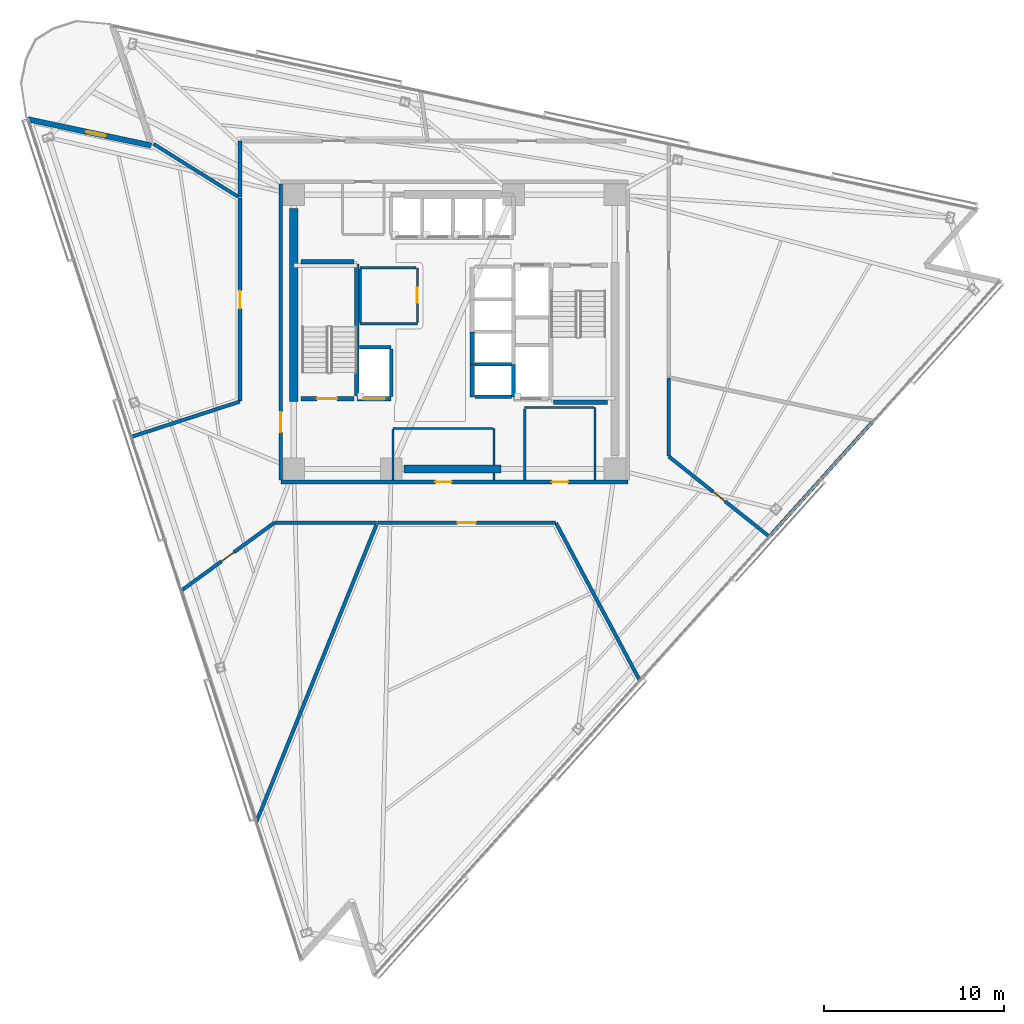
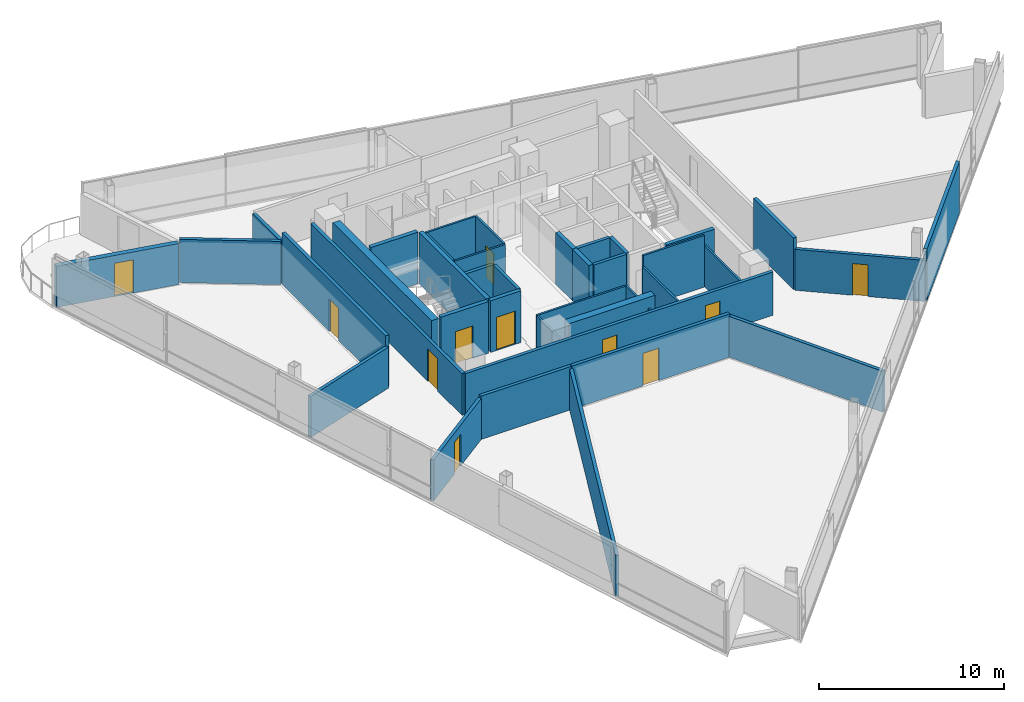
# One storey, part 10 of 17: 40 walls, 11 doors, 11 openings.
"""IFC4 building model written with IfcOpenShell, lengths in metres."""

from ifc_helpers import new_model, si_unit, direction, frame, frame_2d, origin, place, context, subcontext, project, spatial, rectangle, extrude, material, layer, layer_set, type_object, element, fill, save


model = new_model("IFC4")

# Units and contexts
model_context = context("Model", 3, precision=1e-05, world=origin(), true_north=direction((0.0, 1.0)))
body_context = subcontext(model_context, "Body", "Model", "MODEL_VIEW")
ifc_project = project(units=[si_unit("LENGTHUNIT", "METRE"), si_unit("AREAUNIT", "SQUARE_METRE"), si_unit("VOLUMEUNIT", "CUBIC_METRE"), si_unit("PLANEANGLEUNIT", "RADIAN"), si_unit("MASSUNIT", "GRAM", prefix="KILO")], contexts=[model_context])

# Site, building, storey
site_placement = place(None, origin())
site = spatial("IfcSite", under=ifc_project, at=site_placement, CompositionType="ELEMENT")
building_placement = place(site_placement, origin())
building = spatial("IfcBuilding", under=site, at=building_placement, Name="Tharavind Bronze Gate", CompositionType="ELEMENT")
storey_placement = place(building_placement, frame((0.0, 0.0, 200.449951171875)))
storey = spatial("IfcBuildingStorey", under=building, at=storey_placement, Name="L51", CompositionType="ELEMENT", Elevation=200.449951171875)

# Wall, opening, door
ifc_material_1 = material(Name="Concrete C40/50", Category="concrete")
ifc_layer_1 = layer(ifc_material_1, 0.300048828125)
ifc_layer_set_1 = layer_set([ifc_layer_1], Name="Concrete C40/50")
wall_type_1 = type_object("IfcWallType", Name="EXTERIOR SPANDREL WALL 300", PredefinedType="STANDARD", material=ifc_layer_set_1)
wall_1_placement = place(storey_placement, frame((-16.802734375, 10.329345703125, 0.0), z_axis=(0.0, 0.0, 1.0), x_axis=(-0.9781486268, 0.207906863497, 0.0)))
wall_1 = element("IfcWall", 1, at=wall_1_placement, inside=storey, type_object=wall_type_1, Name="L51 notch cheek wall 1B", PredefinedType="STANDARD", context=body_context, shape_type="SweptSolid", body=[
    extrude(rectangle(XDim=6.97998046875, YDim=0.300048828125, at=frame_2d((3.489990234375, 0.0))), origin(), (0.0, 0.0, 1.0), 2.715087890625),
])
opening_1_placement = place(wall_1_placement, frame((2.570068359375, 0.0, 0.0)))
opening_1 = element("IfcOpeningElement", 2, at=opening_1_placement, cuts=wall_1, Name="Opening ED04", PredefinedType="OPENING", context=body_context, shape_type="SweptSolid", body=[
    extrude(rectangle(XDim=1.10009765625, YDim=2.199951171875, at=frame_2d((0.550048828125, 1.10009765625))), frame((0.0, 0.15990234375, 0.0), z_axis=(0.0, -1.0, 0.0), x_axis=(1.0, 0.0, 0.0)), (0.0, 0.0, 1.0), 0.320048828125),
])
ifc_material_2 = material(Name="Bronze Aluminium & Toughened Glass", Category="aluminium")
door_type_1 = type_object("IfcDoorType", Name="TREE BALCONY ACCESS DOOR 1100X2200", OperationType="SINGLE_SWING_LEFT", PredefinedType="DOOR", material=ifc_material_2)
door_1_placement = place(opening_1_placement, frame((1.10009765625, 0.0, 0.0), z_axis=(0.0, 0.0, 1.0), x_axis=(-1.0, 0.0, 0.0)))
door_1 = element("IfcDoor", 3, at=door_1_placement, inside=storey, type_object=door_type_1, Name="L51 tree balcony access door", OperationType="SINGLE_SWING_LEFT", OverallHeight=2.199951171875, OverallWidth=1.10009765625, PredefinedType="DOOR", context=body_context, shape_type="SweptSolid", body=[
    extrude(rectangle(XDim=1.10009765625, YDim=2.199951171875, at=frame_2d((0.550048828125, 1.10009765625))), frame((0.0, 0.02490234375, 0.0), z_axis=(0.0, -1.0, 0.0), x_axis=(1.0, 0.0, 0.0)), (0.0, 0.0, 1.0), 0.050048828125),
])
fill(opening_1, door_1)

# Wall, openings, doors
ifc_material_3 = material(Name="Aerated Concrete Block", Category="concrete")
ifc_layer_2 = layer(ifc_material_3, 0.199951171875)
ifc_layer_set_2 = layer_set([ifc_layer_2], Name="Aerated Concrete Block")
wall_type_2 = type_object("IfcWallType", Name="FIRE RATED PARTITION 200", PredefinedType="PARTITIONING", material=ifc_layer_set_2)
wall_2_placement = place(storey_placement, frame((-9.6201171875, -8.320068359375, 0.0), z_axis=(0.0, 0.0, 1.0), x_axis=(1.0, 0.0, 0.0)))
wall_2 = element("IfcWall", 4, at=wall_2_placement, inside=storey, type_object=wall_type_2, Name="L51 south core corridor wall", PredefinedType="PARTITIONING", context=body_context, shape_type="SweptSolid", body=[
    extrude(rectangle(XDim=19.240234375, YDim=0.199951171875, at=frame_2d((9.6201171875, 0.0))), origin(), (0.0, 0.0, 1.0), 2.864990234375),
])
opening_2_placement = place(wall_2_placement, frame((8.570068359375, 0.0, 0.0)))
opening_2 = element("IfcOpeningElement", 5, at=opening_2_placement, cuts=wall_2, Name="Opening ID07", PredefinedType="OPENING", context=body_context, shape_type="SweptSolid", body=[
    extrude(rectangle(XDim=0.89990234375, YDim=2.10009765625, at=frame_2d((0.449951171875, 1.050048828125))), frame((0.0, 0.11009765625, 0.0), z_axis=(0.0, -1.0, 0.0), x_axis=(1.0, 0.0, 0.0)), (0.0, 0.0, 1.0), 0.219951171875),
])
opening_3_placement = place(wall_2_placement, frame((15.02001953125, 0.0, 0.0)))
opening_3 = element("IfcOpeningElement", 6, at=opening_3_placement, cuts=wall_2, Name="Opening ID07", PredefinedType="OPENING", context=body_context, shape_type="SweptSolid", body=[
    extrude(rectangle(XDim=0.89990234375, YDim=2.10009765625, at=frame_2d((0.449951171875, 1.050048828125))), frame((0.0, 0.11009765625, 0.0), z_axis=(0.0, -1.0, 0.0), x_axis=(1.0, 0.0, 0.0)), (0.0, 0.0, 1.0), 0.219951171875),
])
ifc_material_4 = material(Name="Galvanised Fire Steel", Category="steel")
door_type_2 = type_object("IfcDoorType", Name="PLANT AND RISER FIRE DOOR 900X2100", OperationType="SINGLE_SWING_LEFT", PredefinedType="DOOR", material=ifc_material_4)
door_2_placement = place(opening_2_placement, origin())
door_2 = element("IfcDoor", 7, at=door_2_placement, inside=storey, type_object=door_type_2, Name="L51 Core BMS Control Room fire door", OperationType="SINGLE_SWING_LEFT", OverallHeight=2.10009765625, OverallWidth=0.89990234375, PredefinedType="DOOR", context=body_context, shape_type="SweptSolid", body=[
    extrude(rectangle(XDim=0.89990234375, YDim=2.10009765625, at=frame_2d((0.449951171875, 1.050048828125))), frame((0.0, 0.02490234375, 0.0), z_axis=(0.0, -1.0, 0.0), x_axis=(1.0, 0.0, 0.0)), (0.0, 0.0, 1.0), 0.050048828125),
])
fill(opening_2, door_2)
door_3_placement = place(opening_3_placement, origin())
door_3 = element("IfcDoor", 8, at=door_3_placement, inside=storey, type_object=door_type_2, Name="L51 Telecom Metering Room fire door", OperationType="SINGLE_SWING_LEFT", OverallHeight=2.10009765625, OverallWidth=0.89990234375, PredefinedType="DOOR", context=body_context, shape_type="SweptSolid", body=[
    extrude(rectangle(XDim=0.89990234375, YDim=2.10009765625, at=frame_2d((0.449951171875, 1.050048828125))), frame((0.0, 0.02490234375, 0.0), z_axis=(0.0, -1.0, 0.0), x_axis=(1.0, 0.0, 0.0)), (0.0, 0.0, 1.0), 0.050048828125),
])
fill(opening_3, door_3)

# Wall, opening, door
wall_3_placement = place(storey_placement, frame((-9.6201171875, 8.199951171875, 0.0), z_axis=(0.0, 0.0, 1.0), x_axis=(0.0, -1.0, 0.0)))
wall_3 = element("IfcWall", 9, at=wall_3_placement, inside=storey, type_object=wall_type_2, Name="L51 west core corridor wall", PredefinedType="PARTITIONING", context=body_context, shape_type="SweptSolid", body=[
    extrude(rectangle(XDim=16.39990234375, YDim=0.199951171875, at=frame_2d((8.199951171875, 0.0))), origin(), (0.0, 0.0, 1.0), 2.76513671875),
])
opening_4_placement = place(wall_3_placement, frame((12.64990234375, 0.0, 0.0)))
opening_4 = element("IfcOpeningElement", 10, at=opening_4_placement, cuts=wall_3, Name="Opening ID01", PredefinedType="OPENING", context=body_context, shape_type="SweptSolid", body=[
    extrude(rectangle(XDim=1.10009765625, YDim=2.14990234375, at=frame_2d((0.550048828125, 1.074951171875))), frame((0.0, 0.11009765625, 0.0), z_axis=(0.0, -1.0, 0.0), x_axis=(1.0, 0.0, 0.0)), (0.0, 0.0, 1.0), 0.219951171875),
])
ifc_material_5 = material(Name="Fire-Rated Steel", Category="steel")
door_type_3 = type_object("IfcDoorType", Name="STAIR CORE FIRE DOOR 1100X2150", OperationType="SINGLE_SWING_LEFT", PredefinedType="DOOR", material=ifc_material_5)
door_4_placement = place(opening_4_placement, frame((1.10009765625, 0.0, 0.0), z_axis=(0.0, 0.0, 1.0), x_axis=(-1.0, 0.0, 0.0)))
door_4 = element("IfcDoor", 11, at=door_4_placement, inside=storey, type_object=door_type_3, Name="L51 south west stair lobby fire door", OperationType="SINGLE_SWING_LEFT", OverallHeight=2.14990234375, OverallWidth=1.10009765625, PredefinedType="DOOR", context=body_context, shape_type="SweptSolid", body=[
    extrude(rectangle(XDim=1.10009765625, YDim=2.14990234375, at=frame_2d((0.550048828125, 1.074951171875))), frame((0.0, 0.02490234375, 0.0), z_axis=(0.0, -1.0, 0.0), x_axis=(1.0, 0.0, 0.0)), (0.0, 0.0, 1.0), 0.050048828125),
])
fill(opening_4, door_4)

wall_4_placement = place(storey_placement, frame((-15.14111328125, -14.3466796875, 0.0), z_axis=(0.0, 0.0, 1.0), x_axis=(0.807843616105, 0.589396888284, 0.0)))
wall_4 = element("IfcWall", 12, at=wall_4_placement, inside=storey, type_object=wall_type_2, Name="L51 Public Restrooms Block partition", PredefinedType="PARTITIONING", context=body_context, shape_type="SweptSolid", body=[
    extrude(rectangle(XDim=6.3828125, YDim=0.199951171875, at=frame_2d((3.19140625, 0.0))), origin(), (0.0, 0.0, 1.0), 2.715087890625),
])
opening_5_placement = place(wall_4_placement, frame((2.76611328125, 0.0, 0.0)))
opening_5 = element("IfcOpeningElement", 13, at=opening_5_placement, cuts=wall_4, Name="Opening ID06", PredefinedType="OPENING", context=body_context, shape_type="SweptSolid", body=[
    extrude(rectangle(XDim=0.85009765625, YDim=2.10009765625, at=frame_2d((0.425048828125, 1.050048828125))), frame((0.0, 0.11009765625, 0.0), z_axis=(0.0, -1.0, 0.0), x_axis=(1.0, 0.0, 0.0)), (0.0, 0.0, 1.0), 0.219951171875),
])
ifc_material_6 = material(Name="Moisture-Resistant Timber", Category="wood")
door_type_4 = type_object("IfcDoorType", Name="BATHROOM PRIVACY DOOR 850X2100", OperationType="SINGLE_SWING_RIGHT", PredefinedType="DOOR", material=ifc_material_6)
door_5_placement = place(opening_5_placement, origin())
door_5 = element("IfcDoor", 14, at=door_5_placement, inside=storey, type_object=door_type_4, Name="L51 Public Restrooms Block door", OperationType="SINGLE_SWING_RIGHT", OverallHeight=2.10009765625, OverallWidth=0.85009765625, PredefinedType="DOOR", context=body_context, shape_type="SweptSolid", body=[
    extrude(rectangle(XDim=0.85009765625, YDim=2.10009765625, at=frame_2d((0.425048828125, 1.050048828125))), frame((0.0, 0.02490234375, 0.0), z_axis=(0.0, -1.0, 0.0), x_axis=(1.0, 0.0, 0.0)), (0.0, 0.0, 1.0), 0.050048828125),
])
fill(opening_5, door_5)

# Walls
wall_5_placement = place(storey_placement, frame((-9.969970703125, -10.580078125, 0.0), z_axis=(0.0, 0.0, 1.0), x_axis=(1.0, 0.0, 0.0)))
element("IfcWall", 15, at=wall_5_placement, inside=storey, type_object=wall_type_2, Name="L51 Public Restrooms Block partition", PredefinedType="PARTITIONING", context=body_context, shape_type="SweptSolid", body=[
    extrude(rectangle(XDim=5.658203125, YDim=0.199951171875, at=frame_2d((2.8291015625, 0.0))), origin(), (0.0, 0.0, 1.0), 2.864990234375),
])
wall_6_placement = place(storey_placement, frame((-4.31689453125, -10.68505859375, 0.0), z_axis=(0.0, 0.0, 1.0), x_axis=(-0.374604298034, -0.927184781958, 0.0)))
element("IfcWall", 16, at=wall_6_placement, inside=storey, type_object=wall_type_2, Name="L51 Public Restrooms Block partition", PredefinedType="PARTITIONING", context=body_context, shape_type="SweptSolid", body=[
    extrude(rectangle(XDim=17.775146484375, YDim=0.199951171875, at=frame_2d((8.8876953125, 0.0))), origin(), (0.0, 0.0, 1.0), 2.715087890625),
])

# Wall, opening, door
wall_7_placement = place(storey_placement, frame((17.4560546875, -11.34228515625, 0.0), z_axis=(0.0, 0.0, 1.0), x_axis=(-0.782369623791, 0.622814395923, 0.0)))
wall_7 = element("IfcWall", 17, at=wall_7_placement, inside=storey, type_object=wall_type_2, Name="L51 Public Restrooms Block partition", PredefinedType="PARTITIONING", context=body_context, shape_type="SweptSolid", body=[
    extrude(rectangle(XDim=7.115234375, YDim=0.199951171875, at=frame_2d((3.5576171875, 0.0))), origin(), (0.0, 0.0, 1.0), 2.715087890625),
])
opening_6_placement = place(wall_7_placement, frame((3.133056640625, 0.0, 0.0)))
opening_6 = element("IfcOpeningElement", 18, at=opening_6_placement, cuts=wall_7, Name="Opening ID06", PredefinedType="OPENING", context=body_context, shape_type="SweptSolid", body=[
    extrude(rectangle(XDim=0.85009765625, YDim=2.10009765625, at=frame_2d((0.425048828125, 1.050048828125))), frame((0.0, 0.11009765625, 0.0), z_axis=(0.0, -1.0, 0.0), x_axis=(1.0, 0.0, 0.0)), (0.0, 0.0, 1.0), 0.219951171875),
])
door_6_placement = place(opening_6_placement, origin())
door_6 = element("IfcDoor", 19, at=door_6_placement, inside=storey, type_object=door_type_4, Name="L51 Public Restrooms Block door", OperationType="SINGLE_SWING_RIGHT", OverallHeight=2.10009765625, OverallWidth=0.85009765625, PredefinedType="DOOR", context=body_context, shape_type="SweptSolid", body=[
    extrude(rectangle(XDim=0.85009765625, YDim=2.10009765625, at=frame_2d((0.425048828125, 1.050048828125))), frame((0.0, 0.02490234375, 0.0), z_axis=(0.0, -1.0, 0.0), x_axis=(1.0, 0.0, 0.0)), (0.0, 0.0, 1.0), 0.050048828125),
])
fill(opening_6, door_6)

# Walls
wall_8_placement = place(storey_placement, frame((11.8798828125, -6.891357421875, 0.0), z_axis=(0.0, 0.0, 1.0), x_axis=(0.0, 1.0, 0.0)))
element("IfcWall", 20, at=wall_8_placement, inside=storey, type_object=wall_type_2, Name="L51 Public Restrooms Block partition", PredefinedType="PARTITIONING", context=body_context, shape_type="SweptSolid", body=[
    extrude(rectangle(XDim=4.33544921875, YDim=0.199951171875, at=frame_2d((2.167724609375, 0.0))), origin(), (0.0, 0.0, 1.0), 3.420166015625),
])
wall_9_placement = place(storey_placement, frame((23.142822265625, -5.026611328125, 0.0), z_axis=(0.0, 0.0, 1.0), x_axis=(-0.669131712816, -0.743143829218, 0.0)))
element("IfcWall", 21, at=wall_9_placement, inside=storey, type_object=wall_type_2, Name="L51 Public Restrooms Block partition", PredefinedType="PARTITIONING", context=body_context, shape_type="SweptSolid", body=[
    extrude(rectangle(XDim=8.48095703125, YDim=0.199951171875, at=frame_2d((4.240478515625, 0.0))), origin(), (0.0, 0.0, 1.0), 3.420166015625),
])
wall_10_placement = place(storey_placement, frame((-11.8798828125, 10.579345703125, 0.0), z_axis=(0.0, 0.0, 1.0), x_axis=(0.0, -1.0, 0.0)))
element("IfcWall", 22, at=wall_10_placement, inside=storey, type_object=wall_type_2, Name="L51 Panoramic Boardroom partition", PredefinedType="PARTITIONING", context=body_context, shape_type="SweptSolid", body=[
    extrude(rectangle(XDim=3.11083984375, YDim=0.199951171875, at=frame_2d((1.555419921875, 0.0))), origin(), (0.0, 0.0, 1.0), 2.76513671875),
])
wall_11_placement = place(storey_placement, frame((-11.985107421875, 7.489013671875, 0.0), z_axis=(0.0, 0.0, 1.0), x_axis=(-0.848035563326, 0.529939320427, 0.0)))
element("IfcWall", 23, at=wall_11_placement, inside=storey, type_object=wall_type_2, Name="L51 Panoramic Boardroom partition", PredefinedType="PARTITIONING", context=body_context, shape_type="SweptSolid", body=[
    extrude(rectangle(XDim=5.521484375, YDim=0.199951171875, at=frame_2d((2.7607421875, 0.0))), origin(), (0.0, 0.0, 1.0), 2.864990234375),
])

# Wall, opening, door
wall_12_placement = place(storey_placement, frame((-11.8798828125, 7.40966796875, 0.0), z_axis=(0.0, 0.0, 1.0), x_axis=(0.0, -1.0, 0.0)))
wall_12 = element("IfcWall", 24, at=wall_12_placement, inside=storey, type_object=wall_type_2, Name="L51 Principal Office partition", PredefinedType="PARTITIONING", context=body_context, shape_type="SweptSolid", body=[
    extrude(rectangle(XDim=11.25146484375, YDim=0.199951171875, at=frame_2d((5.625732421875, 0.0))), origin(), (0.0, 0.0, 1.0), 3.420166015625),
])
opening_7_placement = place(wall_12_placement, frame((5.1259765625, 0.0, 0.0)))
opening_7 = element("IfcOpeningElement", 25, at=opening_7_placement, cuts=wall_12, Name="Opening ID04", PredefinedType="OPENING", context=body_context, shape_type="SweptSolid", body=[
    extrude(rectangle(XDim=1.0, YDim=2.14990234375, at=frame_2d((0.5, 1.074951171875))), frame((0.0, 0.11009765625, 0.0), z_axis=(0.0, -1.0, 0.0), x_axis=(1.0, 0.0, 0.0)), (0.0, 0.0, 1.0), 0.219951171875),
])
ifc_material_7 = material(Name="Bronze Framed Acoustic Timber", Category="wood")
door_type_5 = type_object("IfcDoorType", Name="OFFICE TENANCY DOOR 1000X2150", OperationType="SINGLE_SWING_RIGHT", PredefinedType="DOOR", material=ifc_material_7)
door_7_placement = place(opening_7_placement, origin())
door_7 = element("IfcDoor", 26, at=door_7_placement, inside=storey, type_object=door_type_5, Name="L51 Principal Office door", OperationType="SINGLE_SWING_RIGHT", OverallHeight=2.14990234375, OverallWidth=1.0, PredefinedType="DOOR", context=body_context, shape_type="SweptSolid", body=[
    extrude(rectangle(XDim=1.0, YDim=2.14990234375, at=frame_2d((0.5, 1.074951171875))), frame((0.0, 0.02490234375, 0.0), z_axis=(0.0, -1.0, 0.0), x_axis=(1.0, 0.0, 0.0)), (0.0, 0.0, 1.0), 0.050048828125),
])
fill(opening_7, door_7)

# Wall
wall_13_placement = place(storey_placement, frame((-11.897216796875, -3.86572265625, 0.0), z_axis=(0.0, 0.0, 1.0), x_axis=(-0.951062833603, -0.308997551024, 0.0)))
element("IfcWall", 27, at=wall_13_placement, inside=storey, type_object=wall_type_2, Name="L51 Principal Office partition", PredefinedType="PARTITIONING", context=body_context, shape_type="SweptSolid", body=[
    extrude(rectangle(XDim=6.298828125, YDim=0.199951171875, at=frame_2d((3.1494140625, 0.0))), origin(), (0.0, 0.0, 1.0), 2.715087890625),
])

# Wall, opening, door
wall_14_placement = place(storey_placement, frame((-4.2578125, -10.580078125, 0.0), z_axis=(0.0, 0.0, 1.0), x_axis=(1.0, 0.0, 0.0)))
wall_14 = element("IfcWall", 28, at=wall_14_placement, inside=storey, type_object=wall_type_2, Name="L51 Advisory Open Office partition", PredefinedType="PARTITIONING", context=body_context, shape_type="SweptSolid", body=[
    extrude(rectangle(XDim=9.868408203125, YDim=0.199951171875, at=frame_2d((4.93408203125, 0.0))), origin(), (0.0, 0.0, 1.0), 2.864990234375),
])
opening_8_placement = place(wall_14_placement, frame((4.43408203125, 0.0, 0.0)))
opening_8 = element("IfcOpeningElement", 29, at=opening_8_placement, cuts=wall_14, Name="Opening ID04", PredefinedType="OPENING", context=body_context, shape_type="SweptSolid", body=[
    extrude(rectangle(XDim=1.0, YDim=2.14990234375, at=frame_2d((0.5, 1.074951171875))), frame((0.0, 0.11009765625, 0.0), z_axis=(0.0, -1.0, 0.0), x_axis=(1.0, 0.0, 0.0)), (0.0, 0.0, 1.0), 0.219951171875),
])
door_8_placement = place(opening_8_placement, origin())
door_8 = element("IfcDoor", 30, at=door_8_placement, inside=storey, type_object=door_type_5, Name="L51 Advisory Open Office door", OperationType="SINGLE_SWING_RIGHT", OverallHeight=2.14990234375, OverallWidth=1.0, PredefinedType="DOOR", context=body_context, shape_type="SweptSolid", body=[
    extrude(rectangle(XDim=1.0, YDim=2.14990234375, at=frame_2d((0.5, 1.074951171875))), frame((0.0, 0.02490234375, 0.0), z_axis=(0.0, -1.0, 0.0), x_axis=(1.0, 0.0, 0.0)), (0.0, 0.0, 1.0), 0.050048828125),
])
fill(opening_8, door_8)

# Walls
wall_15_placement = place(storey_placement, frame((5.632568359375, -10.59326171875, 0.0), z_axis=(0.0, 0.0, 1.0), x_axis=(0.46946276715, -0.882952269525, 0.0)))
element("IfcWall", 31, at=wall_15_placement, inside=storey, type_object=wall_type_2, Name="L51 Advisory Open Office partition", PredefinedType="PARTITIONING", context=body_context, shape_type="SweptSolid", body=[
    extrude(rectangle(XDim=9.8662109375, YDim=0.199951171875, at=frame_2d((4.93310546875, 0.0))), origin(), (0.0, 0.0, 1.0), 2.715087890625),
])
ifc_material_8 = material(Name="Metal Stud Gypsum Partition", Category="gypsum")
ifc_layer_3 = layer(ifc_material_8, 0.1201171875)
ifc_layer_set_3 = layer_set([ifc_layer_3], Name="Metal Stud Gypsum Partition")
wall_type_3 = type_object("IfcWallType", Name="INTERIOR PARTITION WALL 120", PredefinedType="PARTITIONING", material=ifc_layer_set_3)
wall_16_placement = place(storey_placement, frame((-5.219970703125, 0.449951171875, 0.0), z_axis=(0.0, 0.0, 1.0), x_axis=(1.0, 0.0, 0.0)))
element("IfcWall", 32, at=wall_16_placement, inside=storey, type_object=wall_type_3, Name="L51 Electrical & Telecom Store partition 1", PredefinedType="PARTITIONING", context=body_context, shape_type="SweptSolid", body=[
    extrude(rectangle(XDim=3.169921875, YDim=0.1201171875, at=frame_2d((1.5849609375, 0.0))), origin(), (0.0, 0.0, 1.0), 3.420166015625),
])

# Wall, opening, door
wall_17_placement = place(storey_placement, frame((-2.050048828125, 0.514892578125, 0.0), z_axis=(0.0, 0.0, 1.0), x_axis=(0.0, 1.0, 0.0)))
wall_17 = element("IfcWall", 33, at=wall_17_placement, inside=storey, type_object=wall_type_3, Name="L51 Electrical & Telecom Store partition 2", PredefinedType="PARTITIONING", context=body_context, shape_type="SweptSolid", body=[
    extrude(rectangle(XDim=3.03515625, YDim=0.1201171875, at=frame_2d((1.517578125, 0.0))), origin(), (0.0, 0.0, 1.0), 3.420166015625),
])
opening_9_placement = place(wall_17_placement, frame((1.092041015625, 0.0, 0.0)))
opening_9 = element("IfcOpeningElement", 34, at=opening_9_placement, cuts=wall_17, Name="Opening ID06", PredefinedType="OPENING", context=body_context, shape_type="SweptSolid", body=[
    extrude(rectangle(XDim=0.85009765625, YDim=2.10009765625, at=frame_2d((0.425048828125, 1.050048828125))), frame((0.0, 0.07005859375, 0.0), z_axis=(0.0, -1.0, 0.0), x_axis=(1.0, 0.0, 0.0)), (0.0, 0.0, 1.0), 0.1401171875),
])
door_9_placement = place(opening_9_placement, frame((0.85009765625, 0.0, 0.0), z_axis=(0.0, 0.0, 1.0), x_axis=(-1.0, 0.0, 0.0)))
door_9 = element("IfcDoor", 35, at=door_9_placement, inside=storey, type_object=door_type_4, Name="L51 Electrical & Telecom Store door", OperationType="SINGLE_SWING_RIGHT", OverallHeight=2.10009765625, OverallWidth=0.85009765625, PredefinedType="DOOR", context=body_context, shape_type="SweptSolid", body=[
    extrude(rectangle(XDim=0.85009765625, YDim=2.10009765625, at=frame_2d((0.425048828125, 1.050048828125))), frame((0.0, 0.02490234375, 0.0), z_axis=(0.0, -1.0, 0.0), x_axis=(1.0, 0.0, 0.0)), (0.0, 0.0, 1.0), 0.050048828125),
])
fill(opening_9, door_9)

# Walls
wall_18_placement = place(storey_placement, frame((-2.114990234375, 3.550048828125, 0.0), z_axis=(0.0, 0.0, 1.0), x_axis=(-1.0, 0.0, 0.0)))
element("IfcWall", 36, at=wall_18_placement, inside=storey, type_object=wall_type_3, Name="L51 Electrical & Telecom Store partition 3", PredefinedType="PARTITIONING", context=body_context, shape_type="SweptSolid", body=[
    extrude(rectangle(XDim=3.10498046875, YDim=0.1201171875, at=frame_2d((1.552490234375, 0.0))), origin(), (0.0, 0.0, 1.0), 3.420166015625),
])
wall_19_placement = place(storey_placement, frame((-5.219970703125, 3.485107421875, 0.0), z_axis=(0.0, 0.0, 1.0), x_axis=(0.0, -1.0, 0.0)))
element("IfcWall", 37, at=wall_19_placement, inside=storey, type_object=wall_type_3, Name="L51 Electrical & Telecom Store partition 4", PredefinedType="PARTITIONING", context=body_context, shape_type="SweptSolid", body=[
    extrude(rectangle(XDim=2.97021484375, YDim=0.1201171875, at=frame_2d((1.485107421875, 0.0))), origin(), (0.0, 0.0, 1.0), 3.420166015625),
])
wall_20_placement = place(storey_placement, frame((2.199951171875, -8.215087890625, 0.0), z_axis=(0.0, 0.0, 1.0), x_axis=(0.0, 1.0, 0.0)))
element("IfcWall", 38, at=wall_20_placement, inside=storey, type_object=wall_type_3, Name="L51 Core BMS Control Room partition 2", PredefinedType="PARTITIONING", context=body_context, shape_type="SweptSolid", body=[
    extrude(rectangle(XDim=0.385009765625, YDim=0.1201171875, at=frame_2d((0.1923828125, 0.0))), origin(), (0.0, 0.0, 1.0), 2.715087890625),
])
wall_21_placement = place(storey_placement, frame((2.199951171875, -7.3701171875, 0.0), z_axis=(0.0, 0.0, 1.0), x_axis=(0.0, 1.0, 0.0)))
element("IfcWall", 39, at=wall_21_placement, inside=storey, type_object=wall_type_3, Name="L51 Core BMS Control Room partition 2", PredefinedType="PARTITIONING", context=body_context, shape_type="SweptSolid", body=[
    extrude(rectangle(XDim=2.02001953125, YDim=0.1201171875, at=frame_2d((1.010009765625, 0.0))), origin(), (0.0, 0.0, 1.0), 2.715087890625),
])
wall_22_placement = place(storey_placement, frame((2.135009765625, -5.35009765625, 0.0), z_axis=(0.0, 0.0, 1.0), x_axis=(-1.0, 0.0, 0.0)))
element("IfcWall", 40, at=wall_22_placement, inside=storey, type_object=wall_type_3, Name="L51 Core BMS Control Room partition 3", PredefinedType="PARTITIONING", context=body_context, shape_type="SweptSolid", body=[
    extrude(rectangle(XDim=5.534912109375, YDim=0.1201171875, at=frame_2d((2.767578125, 0.0))), origin(), (0.0, 0.0, 1.0), 2.715087890625),
])
wall_23_placement = place(storey_placement, frame((-3.39990234375, -5.4150390625, 0.0), z_axis=(0.0, 0.0, 1.0), x_axis=(0.0, -1.0, 0.0)))
element("IfcWall", 41, at=wall_23_placement, inside=storey, type_object=wall_type_3, Name="L51 Core BMS Control Room partition 4", PredefinedType="PARTITIONING", context=body_context, shape_type="SweptSolid", body=[
    extrude(rectangle(XDim=2.800048828125, YDim=0.1201171875, at=frame_2d((1.39990234375, 0.0))), origin(), (0.0, 0.0, 1.0), 2.715087890625),
])
wall_24_placement = place(storey_placement, frame((7.800048828125, -8.215087890625, 0.0), z_axis=(0.0, 0.0, 1.0), x_axis=(0.0, 1.0, 0.0)))
element("IfcWall", 42, at=wall_24_placement, inside=storey, type_object=wall_type_3, Name="L51 Telecom Metering Room partition 2", PredefinedType="PARTITIONING", context=body_context, shape_type="SweptSolid", body=[
    extrude(rectangle(XDim=4.01513671875, YDim=0.1201171875, at=frame_2d((2.007568359375, 0.0))), origin(), (0.0, 0.0, 1.0), 2.715087890625),
])
wall_25_placement = place(storey_placement, frame((7.735107421875, -4.199951171875, 0.0), z_axis=(0.0, 0.0, 1.0), x_axis=(-1.0, 0.0, 0.0)))
element("IfcWall", 43, at=wall_25_placement, inside=storey, type_object=wall_type_3, Name="L51 Telecom Metering Room partition 3", PredefinedType="PARTITIONING", context=body_context, shape_type="SweptSolid", body=[
    extrude(rectangle(XDim=3.835205078125, YDim=0.1201171875, at=frame_2d((1.91748046875, 0.0))), origin(), (0.0, 0.0, 1.0), 3.420166015625),
])
wall_26_placement = place(storey_placement, frame((3.89990234375, -4.264892578125, 0.0), z_axis=(0.0, 0.0, 1.0), x_axis=(0.0, -1.0, 0.0)))
element("IfcWall", 44, at=wall_26_placement, inside=storey, type_object=wall_type_3, Name="L51 Telecom Metering Room partition 4", PredefinedType="PARTITIONING", context=body_context, shape_type="SweptSolid", body=[
    extrude(rectangle(XDim=3.9501953125, YDim=0.1201171875, at=frame_2d((1.97509765625, 0.0))), origin(), (0.0, 0.0, 1.0), 2.715087890625),
])
ifc_material_9 = material(Name="Concrete C50/60", Category="concrete")
ifc_layer_4 = layer(ifc_material_9, 0.25)
ifc_layer_set_4 = layer_set([ifc_layer_4], Name="Concrete C50/60")
wall_type_4 = type_object("IfcWallType", Name="RC CORE SHEAR WALL 250", PredefinedType="SHEAR", material=ifc_layer_set_4)
wall_27_placement = place(storey_placement, frame((-5.39990234375, -3.550048828125, 0.0), z_axis=(0.0, 0.0, 1.0), x_axis=(0.0, 1.0, 0.0)))
element("IfcWall", 45, at=wall_27_placement, inside=storey, type_object=wall_type_4, Name="L51 ST1 shaft east wall", PredefinedType="SHEAR", context=body_context, shape_type="SweptSolid", body=[
    extrude(rectangle(XDim=7.300048828125, YDim=0.25, at=frame_2d((3.64990234375, 0.0))), origin(), (0.0, 0.0, 1.0), 3.420166015625),
])

# Wall, opening, door
wall_28_placement = place(storey_placement, frame((-8.5, -3.699951171875, 0.0), z_axis=(0.0, 0.0, 1.0), x_axis=(1.0, 0.0, 0.0)))
wall_28 = element("IfcWall", 46, at=wall_28_placement, inside=storey, type_object=wall_type_4, Name="L51 ST1 shaft south wall", PredefinedType="SHEAR", context=body_context, shape_type="SweptSolid", body=[
    extrude(rectangle(XDim=2.949951171875, YDim=0.25, at=frame_2d((1.47509765625, 0.0))), origin(), (0.0, 0.0, 1.0), 3.420166015625),
])
opening_10_placement = place(wall_28_placement, frame((0.89990234375, 0.0, 0.0)))
opening_10 = element("IfcOpeningElement", 47, at=opening_10_placement, cuts=wall_28, Name="Opening ID01", PredefinedType="OPENING", context=body_context, shape_type="SweptSolid", body=[
    extrude(rectangle(XDim=1.10009765625, YDim=2.14990234375, at=frame_2d((0.550048828125, 1.074951171875))), frame((0.0, 0.135, 0.0), z_axis=(0.0, -1.0, 0.0), x_axis=(1.0, 0.0, 0.0)), (0.0, 0.0, 1.0), 0.27),
])
door_10_placement = place(opening_10_placement, origin())
door_10 = element("IfcDoor", 48, at=door_10_placement, inside=storey, type_object=door_type_3, Name="L51 exit stair ST1 fire door", OperationType="SINGLE_SWING_LEFT", OverallHeight=2.14990234375, OverallWidth=1.10009765625, PredefinedType="DOOR", context=body_context, shape_type="SweptSolid", body=[
    extrude(rectangle(XDim=1.10009765625, YDim=2.14990234375, at=frame_2d((0.550048828125, 1.074951171875))), frame((0.0, 0.02490234375, 0.0), z_axis=(0.0, -1.0, 0.0), x_axis=(1.0, 0.0, 0.0)), (0.0, 0.0, 1.0), 0.050048828125),
])
fill(opening_10, door_10)

# Walls
wall_29_placement = place(storey_placement, frame((-8.5, 3.89990234375, 0.0), z_axis=(0.0, 0.0, 1.0), x_axis=(1.0, 0.0, 0.0)))
element("IfcWall", 49, at=wall_29_placement, inside=storey, type_object=wall_type_4, Name="L51 ST1 shaft north wall", PredefinedType="SHEAR", context=body_context, shape_type="SweptSolid", body=[
    extrude(rectangle(XDim=2.949951171875, YDim=0.25, at=frame_2d((1.47509765625, 0.0))), origin(), (0.0, 0.0, 1.0), 3.420166015625),
])
wall_30_placement = place(storey_placement, frame((5.5, -3.89990234375, 0.0), z_axis=(0.0, 0.0, 1.0), x_axis=(1.0, 0.0, 0.0)))
element("IfcWall", 50, at=wall_30_placement, inside=storey, type_object=wall_type_4, Name="L51 ST2 shaft south wall", PredefinedType="SHEAR", context=body_context, shape_type="SweptSolid", body=[
    extrude(rectangle(XDim=3.0, YDim=0.25, at=frame_2d((1.5, 0.0))), origin(), (0.0, 0.0, 1.0), 3.420166015625),
])
for number, where, z_axis, x_axis, name in (
    (51, (1.0, -3.60009765625, 0.0), (0.0, 0.0, 1.0), (0.0, 1.0, 0.0), "L51 lift PL9 shaft front wall"),
    (52, (1.0, -1.800048828125, 0.0), (0.0, 0.0, 1.0), (0.0, 1.0, 0.0), "L51 lift PL10 shaft front wall"),
):
    element("IfcWall", number, at=place(storey_placement, frame(where, z_axis=z_axis, x_axis=x_axis)), inside=storey, type_object=wall_type_4, Name=name, PredefinedType="SHEAR", context=body_context, shape_type="SweptSolid", body=[
        extrude(rectangle(XDim=1.800048828125, YDim=0.25, at=frame_2d((0.89990234375, 0.0))), origin(), (0.0, 0.0, 1.0), 3.420166015625),
    ])

# Wall, opening, door
wall_31_placement = place(storey_placement, frame((-5.39990234375, -3.699951171875, 0.0), z_axis=(0.0, 0.0, 1.0), x_axis=(1.0, 0.0, 0.0)))
wall_31 = element("IfcWall", 53, at=wall_31_placement, inside=storey, type_object=wall_type_4, Name="L51 lift FFL1 shaft front wall", PredefinedType="SHEAR", context=body_context, shape_type="SweptSolid", body=[
    extrude(rectangle(XDim=1.89990234375, YDim=0.25, at=frame_2d((0.949951171875, 0.0))), origin(), (0.0, 0.0, 1.0), 3.420166015625),
])
opening_11_placement = place(wall_31_placement, frame((0.35009765625, 0.0, 0.0)))
opening_11 = element("IfcOpeningElement", 54, at=opening_11_placement, cuts=wall_31, Name="Opening LD02", PredefinedType="OPENING", context=body_context, shape_type="SweptSolid", body=[
    extrude(rectangle(XDim=1.199951171875, YDim=2.199951171875, at=frame_2d((0.60009765625, 1.10009765625))), frame((0.0, 0.135, 0.0), z_axis=(0.0, -1.0, 0.0), x_axis=(1.0, 0.0, 0.0)), (0.0, 0.0, 1.0), 0.27),
])
ifc_material_10 = material(Name="Brushed Stainless Steel", Category="steel")
door_type_6 = type_object("IfcDoorType", Name="FIREFIGHTING LIFT LANDING DOOR 1200X2200", OperationType="SLIDING_TO_RIGHT", PredefinedType="DOOR", material=ifc_material_10)
door_11_placement = place(opening_11_placement, origin())
door_11 = element("IfcDoor", 55, at=door_11_placement, inside=storey, type_object=door_type_6, Name="L51 lift FFL1 sliding landing door", OperationType="SLIDING_TO_RIGHT", OverallHeight=2.199951171875, OverallWidth=1.199951171875, PredefinedType="DOOR", context=body_context, shape_type="SweptSolid", body=[
    extrude(rectangle(XDim=1.199951171875, YDim=2.199951171875, at=frame_2d((0.60009765625, 1.10009765625))), frame((0.0, 0.02490234375, 0.0), z_axis=(0.0, -1.0, 0.0), x_axis=(1.0, 0.0, 0.0)), (0.0, 0.0, 1.0), 0.050048828125),
])
fill(opening_11, door_11)

# Walls
ifc_material_11 = material(Name="Concrete C60/75", Category="concrete")
ifc_layer_5 = layer(ifc_material_11, 0.449951171875)
ifc_layer_set_5 = layer_set([ifc_layer_5], Name="Concrete C60/75")
wall_type_5 = type_object("IfcWallType", Name="RC CORE SHEAR WALL 450", PredefinedType="SHEAR", material=ifc_layer_set_5)
wall_32_placement = place(storey_placement, frame((-2.800048828125, -7.60009765625, 0.0), z_axis=(0.0, 0.0, 1.0), x_axis=(1.0, 0.0, 0.0)))
element("IfcWall", 56, at=wall_32_placement, inside=storey, type_object=wall_type_5, Name="L51 south core shear wall", PredefinedType="SHEAR", context=body_context, shape_type="SweptSolid", body=[
    extrude(rectangle(XDim=5.380126953125, YDim=0.449951171875, at=frame_2d((2.68994140625, 0.0))), origin(), (0.0, 0.0, 1.0), 3.420166015625),
])
wall_33_placement = place(storey_placement, frame((-8.89990234375, -3.85009765625, 0.0), z_axis=(0.0, 0.0, 1.0), x_axis=(0.0, 1.0, 0.0)))
element("IfcWall", 57, at=wall_33_placement, inside=storey, type_object=wall_type_5, Name="L51 west core shear wall", PredefinedType="SHEAR", context=body_context, shape_type="SweptSolid", body=[
    extrude(rectangle(XDim=10.7001953125, YDim=0.449951171875, at=frame_2d((5.35009765625, 0.0))), origin(), (0.0, 0.0, 1.0), 3.420166015625),
])
ifc_layer_6 = layer(ifc_material_1, 0.199951171875)
ifc_layer_set_6 = layer_set([ifc_layer_6], Name="Concrete C40/50")
wall_type_6 = type_object("IfcWallType", Name="SHAFT ENCLOSURE WALL 200", PredefinedType="PARTITIONING", material=ifc_layer_set_6)
wall_34_placement = place(storey_placement, frame((3.280029296875, -3.60009765625, 0.0), z_axis=(0.0, 0.0, 1.0), x_axis=(0.0, 1.0, 0.0)))
element("IfcWall", 58, at=wall_34_placement, inside=storey, type_object=wall_type_6, Name="L51 lift PL9 shaft E enclosure wall", PredefinedType="PARTITIONING", context=body_context, shape_type="SweptSolid", body=[
    extrude(rectangle(XDim=1.800048828125, YDim=0.199951171875, at=frame_2d((0.89990234375, 0.0))), origin(), (0.0, 0.0, 1.0), 3.420166015625),
])
for number, where, z_axis, x_axis, name in (
    (59, (1.1298828125, -3.60009765625, 0.0), (0.0, 0.0, 1.0), (1.0, 0.0, 0.0), "L51 lift PL9 shaft S enclosure wall"),
    (60, (1.1298828125, -1.800048828125, 0.0), (0.0, 0.0, 1.0), (1.0, 0.0, 0.0), "L51 lift PL9 shaft N enclosure wall"),
):
    element("IfcWall", number, at=place(storey_placement, frame(where, z_axis=z_axis, x_axis=x_axis)), inside=storey, type_object=wall_type_6, Name=name, PredefinedType="PARTITIONING", context=body_context, shape_type="SweptSolid", body=[
        extrude(rectangle(XDim=2.045166015625, YDim=0.199951171875, at=frame_2d((1.0224609375, 0.0))), origin(), (0.0, 0.0, 1.0), 3.420166015625),
    ])
wall_35_placement = place(storey_placement, frame((-5.27001953125, -0.85009765625, 0.0), z_axis=(0.0, 0.0, 1.0), x_axis=(1.0, 0.0, 0.0)))
element("IfcWall", 61, at=wall_35_placement, inside=storey, type_object=wall_type_6, Name="L51 lift FFL1 shaft N enclosure wall", PredefinedType="PARTITIONING", context=body_context, shape_type="SweptSolid", body=[
    extrude(rectangle(XDim=1.77001953125, YDim=0.199951171875, at=frame_2d((0.885009765625, 0.0))), origin(), (0.0, 0.0, 1.0), 3.420166015625),
])
wall_36_placement = place(storey_placement, frame((-3.5, -3.570068359375, 0.0), z_axis=(0.0, 0.0, 1.0), x_axis=(0.0, 1.0, 0.0)))
element("IfcWall", 62, at=wall_36_placement, inside=storey, type_object=wall_type_6, Name="L51 lift FFL1 shaft E enclosure wall", PredefinedType="PARTITIONING", context=body_context, shape_type="SweptSolid", body=[
    extrude(rectangle(XDim=2.614990234375, YDim=0.199951171875, at=frame_2d((1.3076171875, 0.0))), origin(), (0.0, 0.0, 1.0), 3.420166015625),
])

save(model, "model.ifc")
